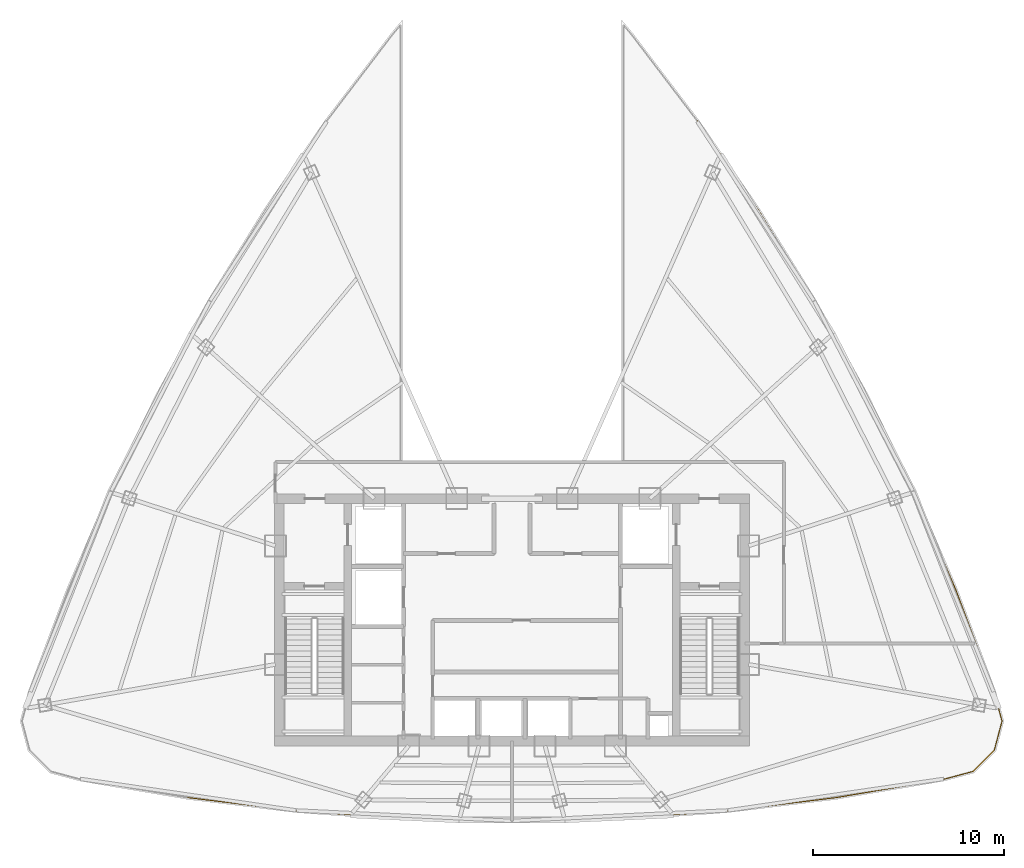
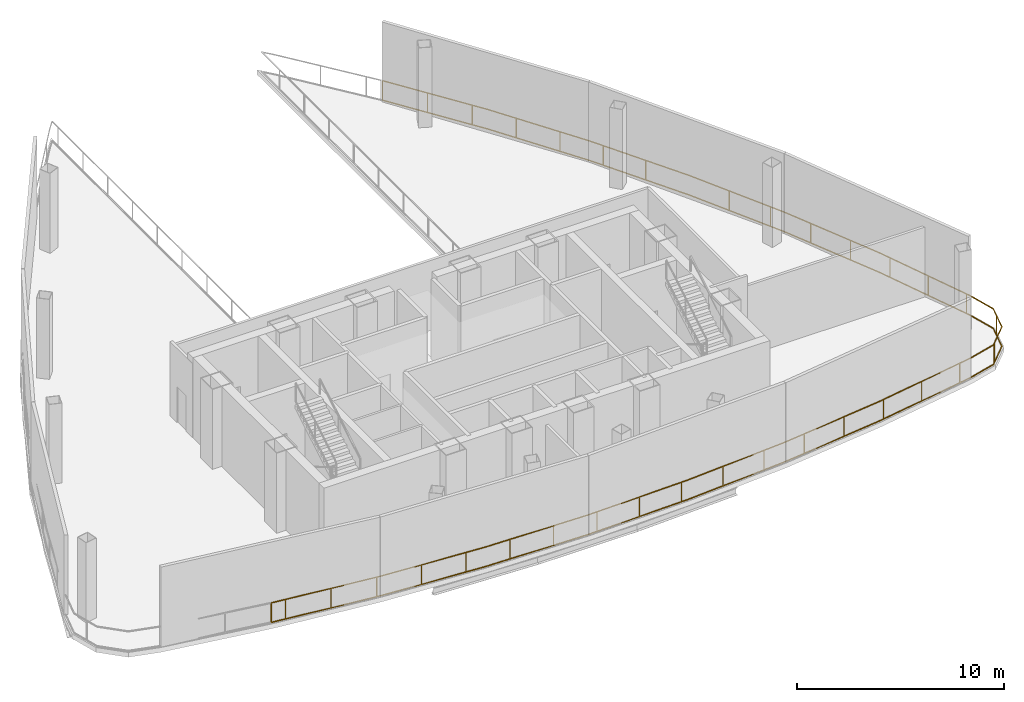
# One storey, part 5 of 6: 1 railing.
"""IFC4 building model written with IfcOpenShell, lengths in metres."""

from ifc_helpers import new_model, si_unit, direction, frame, origin, origin_2d, place, context, subcontext, project, spatial, rectangle, extrude, material, type_object, element, save


model = new_model("IFC4")

# Units and contexts
model_context = context("Model", 3, precision=1e-05, world=origin(), true_north=direction((0.0, 1.0)))
body_context = subcontext(model_context, "Body", "Model", "MODEL_VIEW")
ifc_project = project(units=[si_unit("LENGTHUNIT", "METRE"), si_unit("AREAUNIT", "SQUARE_METRE"), si_unit("VOLUMEUNIT", "CUBIC_METRE"), si_unit("PLANEANGLEUNIT", "RADIAN"), si_unit("MASSUNIT", "GRAM", prefix="KILO"), si_unit("THERMODYNAMICTEMPERATUREUNIT", "KELVIN"), si_unit("POWERUNIT", "WATT")], contexts=[model_context])

# Site, building, storey
site_placement = place(None, origin())
site = spatial("IfcSite", under=ifc_project, at=site_placement, CompositionType="ELEMENT")
building_placement = place(site_placement, origin())
building = spatial("IfcBuilding", under=site, at=building_placement, Name="Yunzhuo Pagoda Commons", CompositionType="ELEMENT")
storey_placement = place(building_placement, frame((0.0, 0.0, 371.760009765625)))
storey = spatial("IfcBuildingStorey", under=building, at=storey_placement, Name="L93", CompositionType="ELEMENT", Elevation=371.760009765625)

# Railing
ifc_material = material(Name="Anodized aluminium 6063-T6", Category="aluminium")
railing_type = type_object("IfcRailingType", Name="RL-PRT1 Wind Portal & Refuge Guardrail 1200", PredefinedType="GUARDRAIL", material=ifc_material)
railing_placement = place(storey_placement, frame((57.712890625, 59.97998046875, 0.0)))
element("IfcRailing", 1, at=railing_placement, inside=storey, type_object=railing_type, Name="L93 wind portal wing 1 guardrail A", PredefinedType="GUARDRAIL", context=body_context, shape_type="SweptSolid", body=[
    extrude(rectangle(XDim=0.048095703125, YDim=0.048095703125, at=origin_2d()), frame((0.0, 0.0, 1.17578125), z_axis=(0.566184343599, -0.824278647706, 0.0), x_axis=(0.824278647706, 0.566184343599, 0.0)), (0.0, 0.0, 1.0), 5.62548828125),
    extrude(rectangle(XDim=0.048095703125, YDim=0.048095703125, at=origin_2d()), frame((0.0, 0.0, 0.02392578125), z_axis=(0.566184343599, -0.824278647706, 0.0), x_axis=(0.824278647706, 0.566184343599, 0.0)), (0.0, 0.0, 1.0), 5.62548828125),
    extrude(rectangle(XDim=0.048095703125, YDim=0.048095703125, at=origin_2d()), frame((3.18505859375, -4.636962890625, 1.17578125), z_axis=(0.52515291418, -0.851007882883, 0.0), x_axis=(0.851007882883, 0.52515291418, 0.0)), (0.0, 0.0, 1.0), 5.61181640625),
    extrude(rectangle(XDim=0.048095703125, YDim=0.048095703125, at=origin_2d()), frame((3.18505859375, -4.636962890625, 0.02392578125), z_axis=(0.52515291418, -0.851007882883, 0.0), x_axis=(0.851007882883, 0.52515291418, 0.0)), (0.0, 0.0, 1.0), 5.61181640625),
    extrude(rectangle(XDim=0.048095703125, YDim=0.048095703125, at=origin_2d()), frame((6.132080078125, -9.41259765625, 1.17578125), z_axis=(0.482785214166, -0.875738794951, 0.0), x_axis=(0.875738794951, 0.482785214166, 0.0)), (0.0, 0.0, 1.0), 5.612060546875),
    extrude(rectangle(XDim=0.048095703125, YDim=0.048095703125, at=origin_2d()), frame((6.132080078125, -9.41259765625, 0.02392578125), z_axis=(0.482785214166, -0.875738794951, 0.0), x_axis=(0.875738794951, 0.482785214166, 0.0)), (0.0, 0.0, 1.0), 5.612060546875),
    extrude(rectangle(XDim=0.048095703125, YDim=0.048095703125, at=origin_2d()), frame((8.841552734375, -14.327392578125, 1.17578125), z_axis=(0.439384485978, -0.898299100234, 0.0), x_axis=(0.898299100234, 0.439384485978, 0.0)), (0.0, 0.0, 1.0), 5.625244140625),
    extrude(rectangle(XDim=0.048095703125, YDim=0.048095703125, at=origin_2d()), frame((8.841552734375, -14.327392578125, 0.02392578125), z_axis=(0.439384485978, -0.898299100234, 0.0), x_axis=(0.898299100234, 0.439384485978, 0.0)), (0.0, 0.0, 1.0), 5.625244140625),
    extrude(rectangle(XDim=0.048095703125, YDim=0.048095703125, at=origin_2d()), frame((11.313232421875, -19.380615234375, 1.17578125), z_axis=(0.395237697454, -0.91857888203, 0.0), x_axis=(0.91857888203, 0.395237697454, 0.0)), (0.0, 0.0, 1.0), 5.652587890625),
    extrude(rectangle(XDim=0.048095703125, YDim=0.048095703125, at=origin_2d()), frame((11.313232421875, -19.380615234375, 0.02392578125), z_axis=(0.395237697454, -0.91857888203, 0.0), x_axis=(0.91857888203, 0.395237697454, 0.0)), (0.0, 0.0, 1.0), 5.652587890625),
    extrude(rectangle(XDim=0.048095703125, YDim=0.048095703125, at=origin_2d()), frame((13.54736328125, -24.572998046875, 1.17578125), z_axis=(0.350704936473, -0.936486010325, 0.0), x_axis=(0.936486010325, 0.350704936473, 0.0)), (0.0, 0.0, 1.0), 5.690185546875),
    extrude(rectangle(XDim=0.048095703125, YDim=0.048095703125, at=origin_2d()), frame((13.54736328125, -24.572998046875, 0.02392578125), z_axis=(0.350704936473, -0.936486010325, 0.0), x_axis=(0.936486010325, 0.350704936473, 0.0)), (0.0, 0.0, 1.0), 5.690185546875),
    extrude(rectangle(XDim=0.048095703125, YDim=0.048095703125, at=origin_2d()), frame((15.54296875, -29.90185546875, 1.17578125), z_axis=(0.262922930823, -0.964816838808, 0.0), x_axis=(0.964816838808, 0.262922930823, 0.0)), (0.0, 0.0, 1.0), 1.593505859375),
    extrude(rectangle(XDim=0.048095703125, YDim=0.048095703125, at=origin_2d()), frame((15.54296875, -29.90185546875, 0.02392578125), z_axis=(0.262922930823, -0.964816838808, 0.0), x_axis=(0.964816838808, 0.262922930823, 0.0)), (0.0, 0.0, 1.0), 1.593505859375),
    extrude(rectangle(XDim=0.048095703125, YDim=0.048095703125, at=origin_2d()), frame((15.9619140625, -31.439208984375, 1.17578125), z_axis=(-0.256114674662, -0.966646405581, 0.0), x_axis=(0.966646405581, -0.256114674662, 0.0)), (0.0, 0.0, 1.0), 1.571044921875),
    extrude(rectangle(XDim=0.048095703125, YDim=0.048095703125, at=origin_2d()), frame((15.9619140625, -31.439208984375, 0.02392578125), z_axis=(-0.256114674662, -0.966646405581, 0.0), x_axis=(0.966646405581, -0.256114674662, 0.0)), (0.0, 0.0, 1.0), 1.571044921875),
    extrude(rectangle(XDim=0.048095703125, YDim=0.048095703125, at=origin_2d()), frame((15.5595703125, -32.957763671875, 1.17578125), z_axis=(-0.705784726327, -0.708426368851, 0.0), x_axis=(0.708426368851, -0.705784726327, 0.0)), (0.0, 0.0, 1.0), 1.571044921875),
    extrude(rectangle(XDim=0.048095703125, YDim=0.048095703125, at=origin_2d()), frame((15.5595703125, -32.957763671875, 0.02392578125), z_axis=(-0.705784726327, -0.708426368851, 0.0), x_axis=(0.708426368851, -0.705784726327, 0.0)), (0.0, 0.0, 1.0), 1.571044921875),
    extrude(rectangle(XDim=0.048095703125, YDim=0.048095703125, at=origin_2d()), frame((14.45068359375, -34.07080078125, 1.17578125), z_axis=(-0.965767970821, -0.259407452737, 0.0), x_axis=(0.259407452737, -0.965767970821, 0.0)), (0.0, 0.0, 1.0), 1.59326171875),
    extrude(rectangle(XDim=0.048095703125, YDim=0.048095703125, at=origin_2d()), frame((14.45068359375, -34.07080078125, 0.02392578125), z_axis=(-0.965767970821, -0.259407452737, 0.0), x_axis=(0.259407452737, -0.965767970821, 0.0)), (0.0, 0.0, 1.0), 1.59326171875),
    extrude(rectangle(XDim=0.048095703125, YDim=0.048095703125, at=origin_2d()), frame((12.911865234375, -34.484130859375, 1.17578125), z_axis=(-0.985802138358, -0.167911119374, 0.0), x_axis=(0.167911119374, -0.985802138358, 0.0)), (0.0, 0.0, 1.0), 5.736083984375),
    extrude(rectangle(XDim=0.048095703125, YDim=0.048095703125, at=origin_2d()), frame((12.911865234375, -34.484130859375, 0.02392578125), z_axis=(-0.985802138358, -0.167911119374, 0.0), x_axis=(0.167911119374, -0.985802138358, 0.0)), (0.0, 0.0, 1.0), 5.736083984375),
    extrude(rectangle(XDim=0.048095703125, YDim=0.048095703125, at=origin_2d()), frame((7.25732421875, -35.447265625, 1.17578125), z_axis=(-0.992679866882, -0.120775336415, 0.0), x_axis=(0.120775336415, -0.992679866882, 0.0)), (0.0, 0.0, 1.0), 5.698486328125),
    extrude(rectangle(XDim=0.048095703125, YDim=0.048095703125, at=origin_2d()), frame((7.25732421875, -35.447265625, 0.02392578125), z_axis=(-0.992679866882, -0.120775336415, 0.0), x_axis=(0.120775336415, -0.992679866882, 0.0)), (0.0, 0.0, 1.0), 5.698486328125),
    extrude(rectangle(XDim=0.048095703125, YDim=0.048095703125, at=origin_2d()), frame((1.6005859375, -36.135498046875, 1.17578125), z_axis=(-0.997347611659, -0.072785585918, 0.0), x_axis=(0.072785585918, -0.997347611659, 0.0)), (0.0, 0.0, 1.0), 5.672119140625),
    extrude(rectangle(XDim=0.048095703125, YDim=0.048095703125, at=origin_2d()), frame((1.6005859375, -36.135498046875, 0.02392578125), z_axis=(-0.997347611659, -0.072785585918, 0.0), x_axis=(0.072785585918, -0.997347611659, 0.0)), (0.0, 0.0, 1.0), 5.672119140625),
    extrude(rectangle(XDim=0.048095703125, YDim=0.048095703125, at=origin_2d()), frame((-4.056396484375, -36.54833984375, 1.17578125), z_axis=(-0.999703843907, -0.024335662651, 0.0), x_axis=(0.024335662651, -0.999703843907, 0.0)), (0.0, 0.0, 1.0), 5.658203125),
    extrude(rectangle(XDim=0.048095703125, YDim=0.048095703125, at=origin_2d()), frame((-4.056396484375, -36.54833984375, 0.02392578125), z_axis=(-0.999703843907, -0.024335662651, 0.0), x_axis=(0.024335662651, -0.999703843907, 0.0)), (0.0, 0.0, 1.0), 5.658203125),
    extrude(rectangle(XDim=0.048095703125, YDim=0.048095703125, at=origin_2d()), frame((-9.712890625, -36.68603515625, 1.17578125), z_axis=(-0.999703869459, 0.024334612964, 0.0), x_axis=(-0.024334612964, -0.999703869459, 0.0)), (0.0, 0.0, 1.0), 5.658447265625),
    extrude(rectangle(XDim=0.048095703125, YDim=0.048095703125, at=origin_2d()), frame((-9.712890625, -36.68603515625, 0.02392578125), z_axis=(-0.999703869459, 0.024334612964, 0.0), x_axis=(-0.024334612964, -0.999703869459, 0.0)), (0.0, 0.0, 1.0), 5.658447265625),
    extrude(rectangle(XDim=0.048095703125, YDim=0.048095703125, at=origin_2d()), frame((-15.36962890625, -36.54833984375, 1.17578125), z_axis=(-0.997347383614, 0.072788710647, 0.0), x_axis=(-0.072788710647, -0.997347383614, 0.0)), (0.0, 0.0, 1.0), 5.671875),
    extrude(rectangle(XDim=0.048095703125, YDim=0.048095703125, at=origin_2d()), frame((-15.36962890625, -36.54833984375, 0.02392578125), z_axis=(-0.997347383614, 0.072788710647, 0.0), x_axis=(-0.072788710647, -0.997347383614, 0.0)), (0.0, 0.0, 1.0), 5.671875),
    extrude(rectangle(XDim=0.048095703125, YDim=0.048095703125, at=origin_2d()), frame((-21.0263671875, -36.135498046875, 1.17578125), z_axis=(-0.992679866882, 0.120775336415, 0.0), x_axis=(-0.120775336415, -0.992679866882, 0.0)), (0.0, 0.0, 1.0), 5.698486328125),
    extrude(rectangle(XDim=0.048095703125, YDim=0.048095703125, at=origin_2d()), frame((-21.0263671875, -36.135498046875, 0.02392578125), z_axis=(-0.992679866882, 0.120775336415, 0.0), x_axis=(-0.120775336415, -0.992679866882, 0.0)), (0.0, 0.0, 1.0), 5.698486328125),
    extrude(rectangle(XDim=0.0419921875, YDim=0.0419921875, at=origin_2d()), origin(), (0.0, 0.0, 1.0), 1.15185546875),
    extrude(rectangle(XDim=0.0419921875, YDim=0.0419921875, at=origin_2d()), frame((1.35888671875, -1.978271484375, 0.0)), (0.0, 0.0, 1.0), 1.15185546875),
    extrude(rectangle(XDim=0.0419921875, YDim=0.0419921875, at=origin_2d()), frame((2.7177734375, -3.95654296875, 0.0)), (0.0, 0.0, 1.0), 1.15185546875),
    extrude(rectangle(XDim=0.0419921875, YDim=0.0419921875, at=origin_2d()), frame((4.011962890625, -5.976806640625, 0.0)), (0.0, 0.0, 1.0), 1.15185546875),
    extrude(rectangle(XDim=0.0419921875, YDim=0.0419921875, at=origin_2d()), frame((5.272216796875, -8.019287109375, 0.0)), (0.0, 0.0, 1.0), 1.15185546875),
    extrude(rectangle(XDim=0.0419921875, YDim=0.0419921875, at=origin_2d()), frame((6.500244140625, -10.08056640625, 0.0)), (0.0, 0.0, 1.0), 1.15185546875),
    extrude(rectangle(XDim=0.0419921875, YDim=0.0419921875, at=origin_2d()), frame((7.658935546875, -12.182373046875, 0.0)), (0.0, 0.0, 1.0), 1.15185546875),
    extrude(rectangle(XDim=0.0419921875, YDim=0.0419921875, at=origin_2d()), frame((9.874267578125, -16.43896484375, 0.0)), (0.0, 0.0, 1.0), 1.15185546875),
    extrude(rectangle(XDim=0.0419921875, YDim=0.0419921875, at=origin_2d()), frame((10.928955078125, -18.594970703125, 0.0)), (0.0, 0.0, 1.0), 1.15185546875),
    extrude(rectangle(XDim=0.0419921875, YDim=0.0419921875, at=origin_2d()), frame((11.916015625, -20.78173828125, 0.0)), (0.0, 0.0, 1.0), 1.15185546875),
    extrude(rectangle(XDim=0.0419921875, YDim=0.0419921875, at=origin_2d()), frame((12.86474609375, -22.986328125, 0.0)), (0.0, 0.0, 1.0), 1.15185546875),
    extrude(rectangle(XDim=0.0419921875, YDim=0.0419921875, at=origin_2d()), frame((13.783203125, -25.202880859375, 0.0)), (0.0, 0.0, 1.0), 1.15185546875),
    extrude(rectangle(XDim=0.0419921875, YDim=0.0419921875, at=origin_2d()), frame((14.625, -27.450439453125, 0.0)), (0.0, 0.0, 1.0), 1.15185546875),
    extrude(rectangle(XDim=0.0419921875, YDim=0.0419921875, at=origin_2d()), frame((15.466552734375, -29.697998046875, 0.0)), (0.0, 0.0, 1.0), 1.15185546875),
    extrude(rectangle(XDim=0.0419921875, YDim=0.0419921875, at=origin_2d()), frame((15.81103515625, -32.008544921875, 0.0)), (0.0, 0.0, 1.0), 1.15185546875),
    extrude(rectangle(XDim=0.0419921875, YDim=0.0419921875, at=origin_2d()), frame((14.558837890625, -33.96240234375, 0.0)), (0.0, 0.0, 1.0), 1.15185546875),
    extrude(rectangle(XDim=0.0419921875, YDim=0.0419921875, at=origin_2d()), frame((12.267578125, -34.59375, 0.0)), (0.0, 0.0, 1.0), 1.15185546875),
    extrude(rectangle(XDim=0.0419921875, YDim=0.0419921875, at=origin_2d()), frame((9.901611328125, -34.996826171875, 0.0)), (0.0, 0.0, 1.0), 1.15185546875),
    extrude(rectangle(XDim=0.0419921875, YDim=0.0419921875, at=origin_2d()), frame((7.535888671875, -35.39990234375, 0.0)), (0.0, 0.0, 1.0), 1.15185546875),
    extrude(rectangle(XDim=0.0419921875, YDim=0.0419921875, at=origin_2d()), frame((5.1552734375, -35.703125, 0.0)), (0.0, 0.0, 1.0), 1.15185546875),
    extrude(rectangle(XDim=0.0419921875, YDim=0.0419921875, at=origin_2d()), frame((2.77294921875, -35.992919921875, 0.0)), (0.0, 0.0, 1.0), 1.15185546875),
    extrude(rectangle(XDim=0.0419921875, YDim=0.0419921875, at=origin_2d()), frame((0.384765625, -36.22412109375, 0.0)), (0.0, 0.0, 1.0), 1.15185546875),
    extrude(rectangle(XDim=0.0419921875, YDim=0.0419921875, at=origin_2d()), frame((-2.0087890625, -36.39892578125, 0.0)), (0.0, 0.0, 1.0), 1.15185546875),
    extrude(rectangle(XDim=0.0419921875, YDim=0.0419921875, at=origin_2d()), frame((-4.4033203125, -36.556884765625, 0.0)), (0.0, 0.0, 1.0), 1.15185546875),
    extrude(rectangle(XDim=0.0419921875, YDim=0.0419921875, at=origin_2d()), frame((-6.802734375, -36.615234375, 0.0)), (0.0, 0.0, 1.0), 1.15185546875),
    extrude(rectangle(XDim=0.0419921875, YDim=0.0419921875, at=origin_2d()), frame((-9.201904296875, -36.673583984375, 0.0)), (0.0, 0.0, 1.0), 1.15185546875),
    extrude(rectangle(XDim=0.0419921875, YDim=0.0419921875, at=origin_2d()), frame((-11.601318359375, -36.64013671875, 0.0)), (0.0, 0.0, 1.0), 1.15185546875),
    extrude(rectangle(XDim=0.0419921875, YDim=0.0419921875, at=origin_2d()), frame((-14.00048828125, -36.581787109375, 0.0)), (0.0, 0.0, 1.0), 1.15185546875),
    extrude(rectangle(XDim=0.0419921875, YDim=0.0419921875, at=origin_2d()), frame((-16.3974609375, -36.473388671875, 0.0)), (0.0, 0.0, 1.0), 1.15185546875),
    extrude(rectangle(XDim=0.0419921875, YDim=0.0419921875, at=origin_2d()), frame((-18.791015625, -36.298583984375, 0.0)), (0.0, 0.0, 1.0), 1.15185546875),
    extrude(rectangle(XDim=0.0419921875, YDim=0.0419921875, at=origin_2d()), frame((-21.183837890625, -36.1162109375, 0.0)), (0.0, 0.0, 1.0), 1.15185546875),
    extrude(rectangle(XDim=0.0419921875, YDim=0.0419921875, at=origin_2d()), frame((-23.56640625, -35.826416015625, 0.0)), (0.0, 0.0, 1.0), 1.15185546875),
    extrude(rectangle(XDim=0.0419921875, YDim=0.0419921875, at=origin_2d()), frame((-25.94873046875, -35.53662109375, 0.0)), (0.0, 0.0, 1.0), 1.15185546875),
    extrude(rectangle(XDim=0.0419921875, YDim=0.0419921875, at=origin_2d()), frame((-26.68310546875, -35.447265625, 0.0)), (0.0, 0.0, 1.0), 1.15185546875),
])

save(model, "model.ifc")
